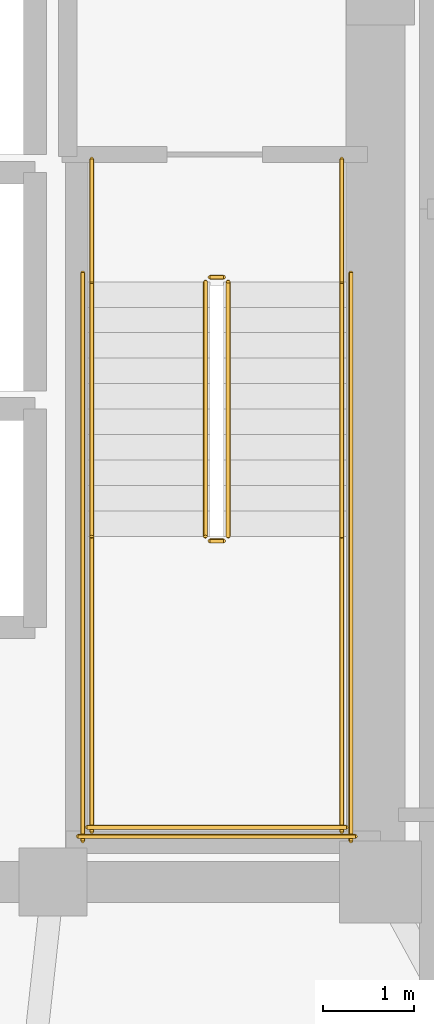
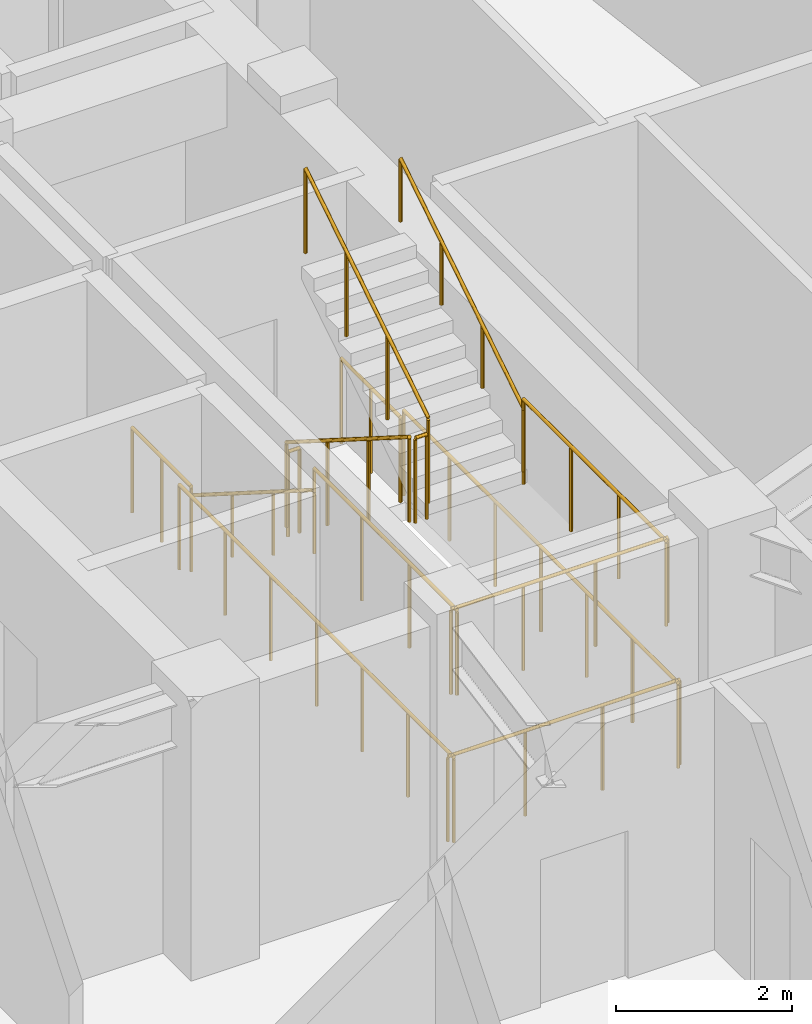
# One storey, part 12 of 12: 14 railings.
"""IFC4 building model written with IfcOpenShell, lengths in metres."""

from ifc_helpers import new_model, si_unit, direction, frame, origin, origin_2d, place, context, subcontext, project, spatial, circle, extrude, material, type_object, element, save


model = new_model("IFC4")

# Units and contexts
model_context = context("Model", 3, precision=1e-05, world=origin(), true_north=direction((0.0, 1.0)))
body_context = subcontext(model_context, "Body", "Model", "MODEL_VIEW")
ifc_project = project(units=[si_unit("LENGTHUNIT", "METRE"), si_unit("AREAUNIT", "SQUARE_METRE"), si_unit("VOLUMEUNIT", "CUBIC_METRE"), si_unit("PLANEANGLEUNIT", "RADIAN"), si_unit("MASSUNIT", "GRAM", prefix="KILO")], contexts=[model_context])

# Site, building, storey
site_placement = place(None, origin())
site = spatial("IfcSite", under=ifc_project, at=site_placement, CompositionType="ELEMENT")
building_placement = place(site_placement, origin())
building = spatial("IfcBuilding", under=site, at=building_placement, Name="Voryun Gate Residences", CompositionType="ELEMENT")
storey_placement = place(building_placement, frame((0.0, 0.0, 187.199951171875)))
storey = spatial("IfcBuildingStorey", under=building, at=storey_placement, Name="L46", CompositionType="ELEMENT", Elevation=187.199951171875)

# Railings
ifc_material_1 = material(Name="Painted steel", Category="steel")
railing_type_1 = type_object("IfcRailingType", Name="RAIL_STAIR_GUARD_1200", PredefinedType="GUARDRAIL", material=ifc_material_1)
railing_1_placement = place(storey_placement, frame((17.27490234375, -0.800048828125, 0.17724609375)))
element("IfcRailing", 1, at=railing_1_placement, inside=storey, type_object=railing_type_1, Name="L46 ST-E1 stair guard 1", PredefinedType="GUARDRAIL", context=body_context, shape_type="SweptSolid", body=[
    extrude(circle(Radius=0.02392578125, at=origin_2d()), frame((0.0, 0.0, 1.17578125), z_axis=(0.0, -0.844908973607, 0.534910110503), x_axis=(1.0, 0.0, 0.0)), (0.0, 0.0, 1.0), 3.31396484375),
    extrude(circle(Radius=0.02099609375, at=origin_2d()), origin(), (0.0, 0.0, 1.0), 1.15185546875),
    extrude(circle(Radius=0.02099609375, at=origin_2d()), frame((0.0, -0.933349609375, 0.5908203125)), (0.0, 0.0, 1.0), 1.15185546875),
    extrude(circle(Radius=0.02099609375, at=origin_2d()), frame((0.0, -1.86669921875, 1.181884765625)), (0.0, 0.0, 1.0), 1.15185546875),
    extrude(circle(Radius=0.02099609375, at=origin_2d()), frame((0.0, -2.800048828125, 1.772705078125)), (0.0, 0.0, 1.0), 1.15185546875),
])
railing_2_placement = place(storey_placement, frame((17.324951171875, -3.64990234375, 1.949951171875)))
element("IfcRailing", 2, at=railing_2_placement, inside=storey, type_object=railing_type_1, Name="L46 ST-E1 stair guard 2", PredefinedType="GUARDRAIL", context=body_context, shape_type="SweptSolid", body=[
    extrude(circle(Radius=0.02392578125, at=origin_2d()), frame((0.0, 0.0, 1.17578125), z_axis=(1.0, 0.0, 0.0), x_axis=(0.0, 1.0, 0.0)), (0.0, 0.0, 1.0), 0.150146484375),
    extrude(circle(Radius=0.02099609375, at=origin_2d()), origin(), (0.0, 0.0, 1.0), 1.15185546875),
    extrude(circle(Radius=0.02099609375, at=origin_2d()), frame((0.150146484375, 0.0, 0.0)), (0.0, 0.0, 1.0), 1.15185546875),
])
for number, where, name in (
    (3, (16.02490234375, -3.60009765625, 1.949951171875), "L46 ST-E1 stair guard 3"),
    (4, (18.77490234375, -3.60009765625, 1.949951171875), "L46 ST-E1 stair guard 4"),
):
    element("IfcRailing", number, at=place(storey_placement, frame(where)), inside=storey, type_object=railing_type_1, Name=name, PredefinedType="GUARDRAIL", context=body_context, shape_type="SweptSolid", body=[
        extrude(circle(Radius=0.02392578125, at=origin_2d()), frame((0.0, 0.0, 1.17578125), z_axis=(0.0, -1.0, 0.0), x_axis=(1.0, 0.0, 0.0)), (0.0, 0.0, 1.0), 3.25),
        extrude(circle(Radius=0.02099609375, at=origin_2d()), origin(), (0.0, 0.0, 1.0), 1.15185546875),
        extrude(circle(Radius=0.02099609375, at=origin_2d()), frame((0.0, -1.083251953125, 0.0)), (0.0, 0.0, 1.0), 1.15185546875),
        extrude(circle(Radius=0.02099609375, at=origin_2d()), frame((0.0, -2.166748046875, 0.0)), (0.0, 0.0, 1.0), 1.15185546875),
        extrude(circle(Radius=0.02099609375, at=origin_2d()), frame((0.0, -3.25, 0.0)), (0.0, 0.0, 1.0), 1.15185546875),
    ])
railing_3_placement = place(storey_placement, frame((15.97509765625, -6.800048828125, 1.949951171875)))
element("IfcRailing", 5, at=railing_3_placement, inside=storey, type_object=railing_type_1, Name="L46 ST-E1 stair guard 5", PredefinedType="GUARDRAIL", context=body_context, shape_type="SweptSolid", body=[
    extrude(circle(Radius=0.02392578125, at=origin_2d()), frame((0.0, 0.0, 1.17578125), z_axis=(1.0, 0.0, 0.0), x_axis=(0.0, 1.0, 0.0)), (0.0, 0.0, 1.0), 2.849853515625),
    extrude(circle(Radius=0.02099609375, at=origin_2d()), origin(), (0.0, 0.0, 1.0), 1.15185546875),
    extrude(circle(Radius=0.02099609375, at=origin_2d()), frame((0.949951171875, 0.0, 0.0)), (0.0, 0.0, 1.0), 1.15185546875),
    extrude(circle(Radius=0.02099609375, at=origin_2d()), frame((1.89990234375, 0.0, 0.0)), (0.0, 0.0, 1.0), 1.15185546875),
    extrude(circle(Radius=0.02099609375, at=origin_2d()), frame((2.849853515625, 0.0, 0.0)), (0.0, 0.0, 1.0), 1.15185546875),
])
railing_4_placement = place(storey_placement, frame((17.52490234375, -3.60009765625, 2.12744140625)))
element("IfcRailing", 6, at=railing_4_placement, inside=storey, type_object=railing_type_1, Name="L46 ST-E1 stair guard 6", PredefinedType="GUARDRAIL", context=body_context, shape_type="SweptSolid", body=[
    extrude(circle(Radius=0.02392578125, at=origin_2d()), frame((0.0, 0.0, 1.17578125), z_axis=(0.0, 0.844908973607, 0.534910110503), x_axis=(-1.0, 0.0, 0.0)), (0.0, 0.0, 1.0), 3.31396484375),
    extrude(circle(Radius=0.02099609375, at=origin_2d()), origin(), (0.0, 0.0, 1.0), 1.15185546875),
    extrude(circle(Radius=0.02099609375, at=origin_2d()), frame((0.0, 0.933349609375, 0.5908203125)), (0.0, 0.0, 1.0), 1.15185546875),
    extrude(circle(Radius=0.02099609375, at=origin_2d()), frame((0.0, 1.86669921875, 1.181884765625)), (0.0, 0.0, 1.0), 1.15185546875),
    extrude(circle(Radius=0.02099609375, at=origin_2d()), frame((0.0, 2.800048828125, 1.772705078125)), (0.0, 0.0, 1.0), 1.15185546875),
])
railing_5_placement = place(storey_placement, frame((17.324951171875, -0.75, 0.0)))
element("IfcRailing", 7, at=railing_5_placement, inside=storey, type_object=railing_type_1, Name="L46 ST-E1 stair guard 7", PredefinedType="GUARDRAIL", context=body_context, shape_type="SweptSolid", body=[
    extrude(circle(Radius=0.02392578125, at=origin_2d()), frame((0.0, 0.0, 1.17578125), z_axis=(1.0, 0.0, 0.0), x_axis=(0.0, 1.0, 0.0)), (0.0, 0.0, 1.0), 0.150146484375),
    extrude(circle(Radius=0.02099609375, at=origin_2d()), origin(), (0.0, 0.0, 1.0), 1.15185546875),
    extrude(circle(Radius=0.02099609375, at=origin_2d()), frame((0.150146484375, 0.0, 0.0)), (0.0, 0.0, 1.0), 1.15185546875),
])
for number, where, name in (
    (8, (16.02490234375, 0.550048828125, 0.0), "L46 ST-E1 stair guard 8"),
    (9, (18.77490234375, 0.550048828125, 0.0), "L46 ST-E1 stair guard 9"),
):
    element("IfcRailing", number, at=place(storey_placement, frame(where)), inside=storey, type_object=railing_type_1, Name=name, PredefinedType="GUARDRAIL", context=body_context, shape_type="SweptSolid", body=[
        extrude(circle(Radius=0.02392578125, at=origin_2d()), frame((0.0, 0.0, 1.17578125), z_axis=(0.0, -1.0, 0.0), x_axis=(1.0, 0.0, 0.0)), (0.0, 0.0, 1.0), 1.35009765625),
        extrude(circle(Radius=0.02099609375, at=origin_2d()), origin(), (0.0, 0.0, 1.0), 1.15185546875),
        extrude(circle(Radius=0.02099609375, at=origin_2d()), frame((0.0, -0.675048828125, 0.0)), (0.0, 0.0, 1.0), 1.15185546875),
        extrude(circle(Radius=0.02099609375, at=origin_2d()), frame((0.0, -1.35009765625, 0.0)), (0.0, 0.0, 1.0), 1.15185546875),
    ])
for number, where, name in (
    (10, (15.925048828125, -0.699951171875, 0.0), "L46 ST-E1 stair guard 10"),
    (11, (18.875, -0.699951171875, 0.0), "L46 ST-E1 stair guard 11"),
):
    element("IfcRailing", number, at=place(storey_placement, frame(where)), inside=storey, type_object=railing_type_1, Name=name, PredefinedType="GUARDRAIL", context=body_context, shape_type="SweptSolid", body=[
        extrude(circle(Radius=0.02392578125, at=origin_2d()), frame((0.0, 0.0, 1.17578125), z_axis=(0.0, -1.0, 0.0), x_axis=(1.0, 0.0, 0.0)), (0.0, 0.0, 1.0), 6.25),
        extrude(circle(Radius=0.02099609375, at=origin_2d()), origin(), (0.0, 0.0, 1.0), 1.15185546875),
        extrude(circle(Radius=0.02099609375, at=origin_2d()), frame((0.0, -1.041748046875, 0.0)), (0.0, 0.0, 1.0), 1.15185546875),
        extrude(circle(Radius=0.02099609375, at=origin_2d()), frame((0.0, -2.083251953125, 0.0)), (0.0, 0.0, 1.0), 1.15185546875),
        extrude(circle(Radius=0.02099609375, at=origin_2d()), frame((0.0, -3.125, 0.0)), (0.0, 0.0, 1.0), 1.15185546875),
        extrude(circle(Radius=0.02099609375, at=origin_2d()), frame((0.0, -4.166748046875, 0.0)), (0.0, 0.0, 1.0), 1.15185546875),
        extrude(circle(Radius=0.02099609375, at=origin_2d()), frame((0.0, -5.208251953125, 0.0)), (0.0, 0.0, 1.0), 1.15185546875),
        extrude(circle(Radius=0.02099609375, at=origin_2d()), frame((0.0, -6.25, 0.0)), (0.0, 0.0, 1.0), 1.15185546875),
    ])
railing_6_placement = place(storey_placement, frame((15.875, -6.89990234375, 0.0)))
element("IfcRailing", 12, at=railing_6_placement, inside=storey, type_object=railing_type_1, Name="L46 ST-E1 stair guard 12", PredefinedType="GUARDRAIL", context=body_context, shape_type="SweptSolid", body=[
    extrude(circle(Radius=0.02392578125, at=origin_2d()), frame((0.0, 0.0, 1.17578125), z_axis=(1.0, 0.0, 0.0), x_axis=(0.0, 1.0, 0.0)), (0.0, 0.0, 1.0), 3.050048828125),
    extrude(circle(Radius=0.02099609375, at=origin_2d()), origin(), (0.0, 0.0, 1.0), 1.15185546875),
    extrude(circle(Radius=0.02099609375, at=origin_2d()), frame((1.0166015625, 0.0, 0.0)), (0.0, 0.0, 1.0), 1.15185546875),
    extrude(circle(Radius=0.02099609375, at=origin_2d()), frame((2.033447265625, 0.0, 0.0)), (0.0, 0.0, 1.0), 1.15185546875),
    extrude(circle(Radius=0.02099609375, at=origin_2d()), frame((3.050048828125, 0.0, 0.0)), (0.0, 0.0, 1.0), 1.15185546875),
])
ifc_material_2 = material(Name="Painted steel", Category="steel")
railing_type_2 = type_object("IfcRailingType", Name="RAIL_STAIR_HANDRAIL_900", PredefinedType="HANDRAIL", material=ifc_material_2)
railing_7_placement = place(storey_placement, frame((16.02490234375, -0.800048828125, 0.17724609375)))
element("IfcRailing", 13, at=railing_7_placement, inside=storey, type_object=railing_type_2, Name="L46 ST-E1 stair handrail 1", PredefinedType="HANDRAIL", context=body_context, shape_type="SweptSolid", body=[
    extrude(circle(Radius=0.02392578125, at=origin_2d()), frame((0.0, 0.0, 0.8759765625), z_axis=(0.0, -0.844908973607, 0.534910110503), x_axis=(1.0, 0.0, 0.0)), (0.0, 0.0, 1.0), 3.31396484375),
    extrude(circle(Radius=0.02099609375, at=origin_2d()), origin(), (0.0, 0.0, 1.0), 0.851806640625),
    extrude(circle(Radius=0.02099609375, at=origin_2d()), frame((0.0, -0.933349609375, 0.5908203125)), (0.0, 0.0, 1.0), 0.851806640625),
    extrude(circle(Radius=0.02099609375, at=origin_2d()), frame((0.0, -1.86669921875, 1.181884765625)), (0.0, 0.0, 1.0), 0.851806640625),
    extrude(circle(Radius=0.02099609375, at=origin_2d()), frame((0.0, -2.800048828125, 1.772705078125)), (0.0, 0.0, 1.0), 0.851806640625),
])
railing_8_placement = place(storey_placement, frame((18.77490234375, -3.60009765625, 2.12744140625)))
element("IfcRailing", 14, at=railing_8_placement, inside=storey, type_object=railing_type_2, Name="L46 ST-E1 stair handrail 2", PredefinedType="HANDRAIL", context=body_context, shape_type="SweptSolid", body=[
    extrude(circle(Radius=0.02392578125, at=origin_2d()), frame((0.0, 0.0, 0.8759765625), z_axis=(0.0, 0.844908973607, 0.534910110503), x_axis=(-1.0, 0.0, 0.0)), (0.0, 0.0, 1.0), 3.31396484375),
    extrude(circle(Radius=0.02099609375, at=origin_2d()), origin(), (0.0, 0.0, 1.0), 0.851806640625),
    extrude(circle(Radius=0.02099609375, at=origin_2d()), frame((0.0, 0.933349609375, 0.5908203125)), (0.0, 0.0, 1.0), 0.851806640625),
    extrude(circle(Radius=0.02099609375, at=origin_2d()), frame((0.0, 1.86669921875, 1.181884765625)), (0.0, 0.0, 1.0), 0.851806640625),
    extrude(circle(Radius=0.02099609375, at=origin_2d()), frame((0.0, 2.800048828125, 1.772705078125)), (0.0, 0.0, 1.0), 0.851806640625),
])

save(model, "model.ifc")
